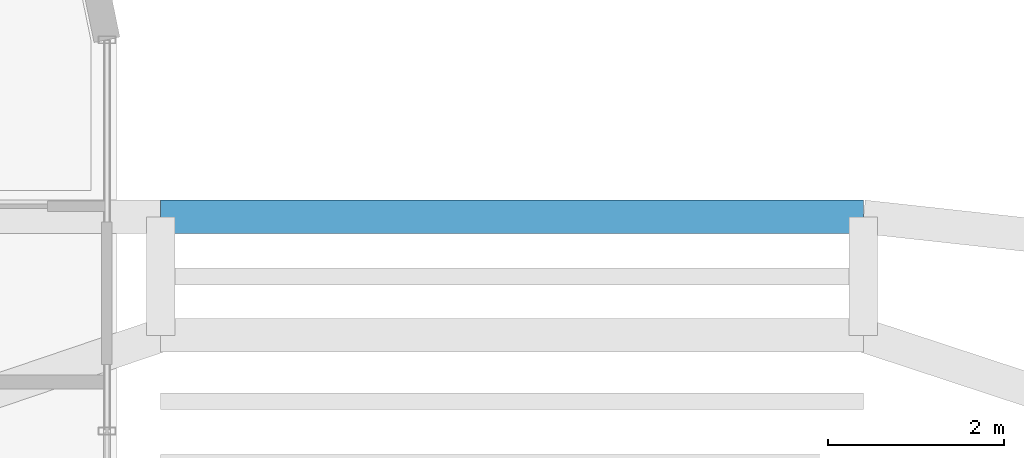
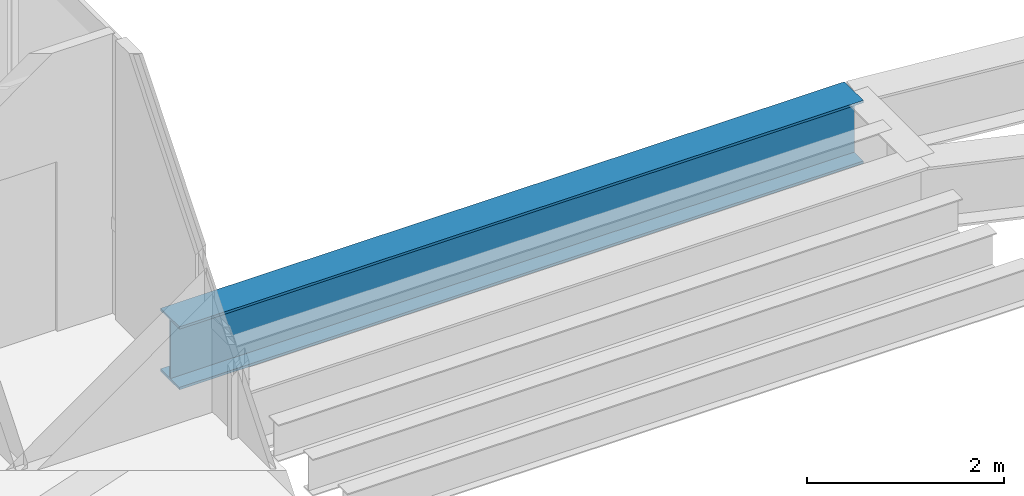
# One storey, part 24 of 36: 1 beam.
"""IFC4 building model written with IfcOpenShell, lengths in metres."""

from ifc_helpers import new_model, si_unit, direction, frame, origin, origin_2d, place, context, subcontext, project, spatial, i_section, extrude, source, transform, mapped, material, material_profile, profile_set, type_object, element, save


model = new_model("IFC4")

# Units and contexts
model_context = context("Model", 3, precision=1e-05, world=origin(), true_north=direction((0.0, 1.0)))
body_context = subcontext(model_context, "Body", "Model", "MODEL_VIEW")
ifc_project = project(units=[si_unit("LENGTHUNIT", "METRE"), si_unit("AREAUNIT", "SQUARE_METRE"), si_unit("VOLUMEUNIT", "CUBIC_METRE"), si_unit("PLANEANGLEUNIT", "RADIAN"), si_unit("MASSUNIT", "GRAM", prefix="KILO")], contexts=[model_context])

# Site, building, storey
site_placement = place(None, origin())
site = spatial("IfcSite", under=ifc_project, at=site_placement, CompositionType="ELEMENT")
building_placement = place(site_placement, origin())
building = spatial("IfcBuilding", under=site, at=building_placement, Name="Valdorenza Pilgrim Sanctuary Tower", CompositionType="ELEMENT")
storey_placement = place(building_placement, frame((0.0, 0.0, 153.800048828125)))
storey = spatial("IfcBuildingStorey", under=building, at=storey_placement, Name="L39", CompositionType="ELEMENT", Elevation=153.800048828125)

# Beam
ifc_material = material(Name="Steel ASTM A992 Grade 50", Category="steel")
ifc_material_profile = material_profile(ifc_material, i_section(OverallWidth=0.382080078125, OverallDepth=0.779052734375, WebThickness=0.01806640625, FlangeThickness=0.030029296875, at=origin_2d()), Name="W30X191")
ifc_profile_set = profile_set([ifc_material_profile], Name="Steel ASTM A992 Grade 50")
beam_type = type_object("IfcBeamType", Name="STR-BM-GRD-W30", PredefinedType="BEAM", material=ifc_profile_set)
shared_shape = source(origin(), body_context, "Body", "SweptSolid", [
    extrude(i_section(OverallWidth=0.382080078125, OverallDepth=0.779052734375, WebThickness=0.01806640625, FlangeThickness=0.030029296875, at=origin_2d()), origin(), (0.0, 0.0, 1.0), 8.0),
])
beam_placement = place(storey_placement, frame((-4.0, 14.800048828125, -0.629638671875), z_axis=(1.0, 0.0, 0.0), x_axis=(0.0, 1.0, 0.0)))
element("IfcBeam", 1, at=beam_placement, inside=storey, type_object=beam_type, Name="L39 Floor Girder KNK-G5", PredefinedType="BEAM", context=body_context, shape_type="MappedRepresentation", body=[
    mapped(shared_shape, transform((0.0, 0.0, 0.0), x_axis=(1.0, 0.0, 0.0), y_axis=(0.0, 1.0, 0.0), z_axis=(0.0, 0.0, 1.0), scale=1.0)),
])

save(model, "model.ifc")
